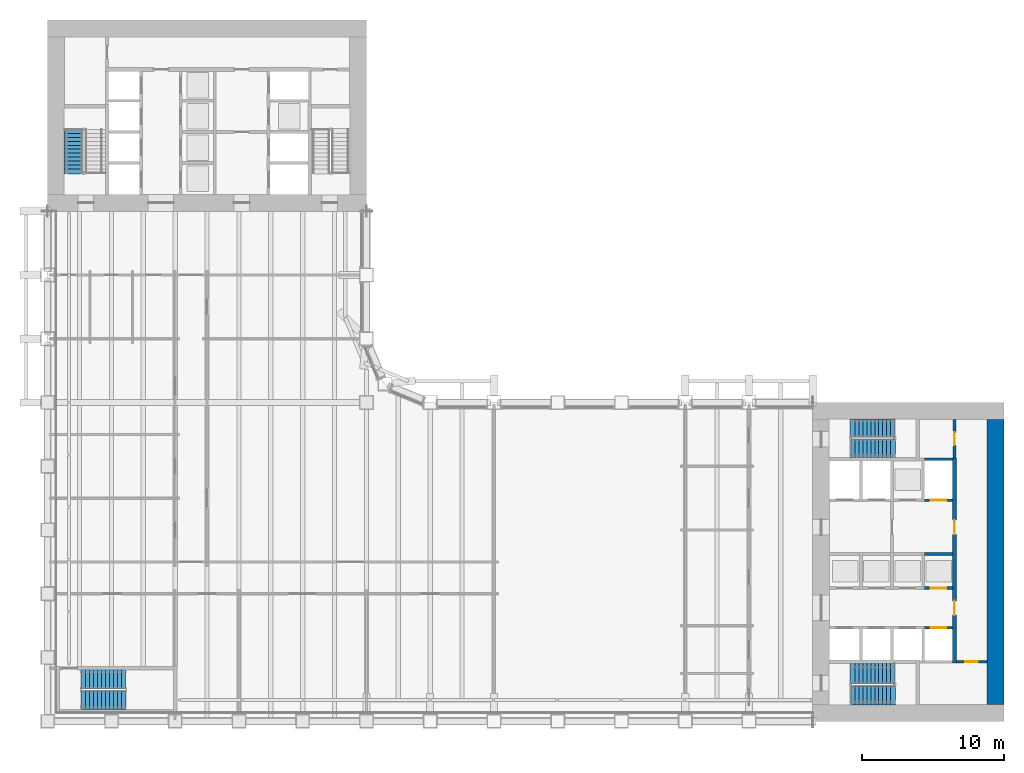
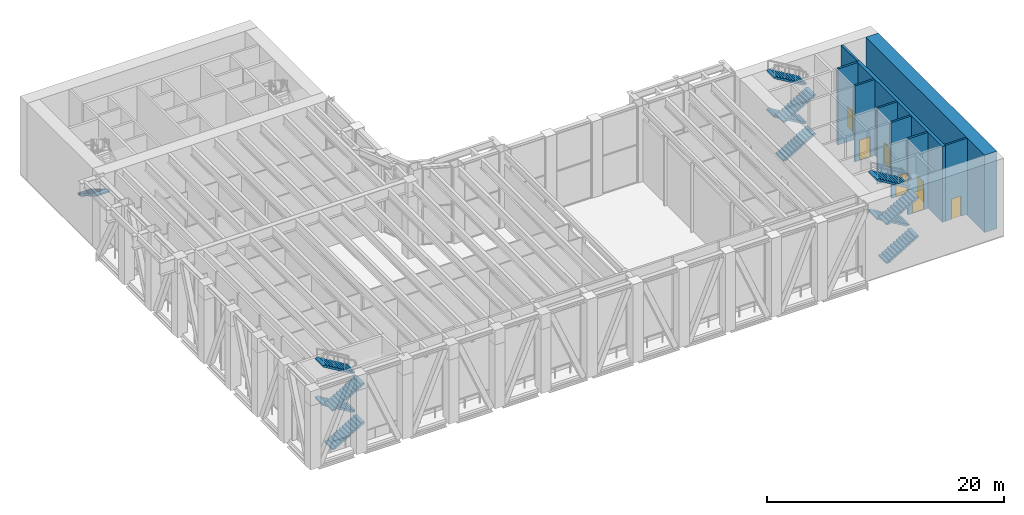
# One storey, part 14 of 21: 13 stair flights, 9 walls, 7 doors, 7 openings, 4 elements without a shape of their own.
"""IFC4 building model written with IfcOpenShell, lengths in metres."""

import ifcopenshell
import ifcopenshell.guid

model = None  # the IFC model being written
_history = None  # IfcOwnerHistory: only IFC2X3 demands one
_inside = {}  # id of a spatial element -> (the spatial element, [elements in it])
_under = {}  # id of a project, library or spatial element -> (it, [spatial elements below it])
_declared = {}  # id of a project -> (the project, [libraries it declares])
_typed = {}  # id of a type object -> (the type object, [elements of that type])
_made_of = {}  # id of a material, layer set ... -> (it, [elements and type objects made of it])


def new_model(schema):
    """Start an empty IFC model of exactly this schema.

    Asked for "IFC4X3", IfcOpenShell would pick the latest addendum, in which some entities
    have other attributes; the version numbers below select the first issue.
    IFC2X3 requires an IfcOwnerHistory on every rooted entity: one is made here for all.
    """
    global model, _history
    if schema == "IFC4X3":
        model = ifcopenshell.file(schema_version=(4, 3, 0, 0))
    else:
        model = ifcopenshell.file(schema=schema)
    _inside.clear()
    _under.clear()
    _declared.clear()
    _typed.clear()
    _made_of.clear()
    _history = None
    if model.schema == "IFC2X3":
        org = make("IfcOrganization", Name="unknown")
        user = make(
            "IfcPersonAndOrganization",
            ThePerson=make("IfcPerson", FamilyName="unknown"),
            TheOrganization=org,
        )
        app = make(
            "IfcApplication",
            ApplicationDeveloper=org,
            Version="unknown",
            ApplicationFullName="unknown",
            ApplicationIdentifier="unknown",
        )
        _history = make(
            "IfcOwnerHistory",
            OwningUser=user,
            OwningApplication=app,
            ChangeAction="ADDED",
            CreationDate=0,
        )
    return model


def make(cls, **values):
    """One entity of the class cls with the attributes given. An attribute that is None is left unset."""
    return model.create_entity(
        cls, **{name: value for name, value in values.items() if value is not None}
    )


def rooted(cls, **values):
    """An entity with a GlobalId (a new one), such as an element, a storey or a relation."""
    return make(cls, GlobalId=ifcopenshell.guid.new(), OwnerHistory=_history, **values)


def si_unit(unit_type, name, prefix=None):
    """IfcSIUnit, for example si_unit("LENGTHUNIT", "METRE", prefix="MILLI")."""
    return make("IfcSIUnit", UnitType=unit_type, Prefix=prefix, Name=name)


def assignment(units):
    """IfcUnitAssignment: the units of a project."""
    return None if units is None else make("IfcUnitAssignment", Units=units)


def point(xyz):
    """IfcCartesianPoint."""
    return None if xyz is None else make("IfcCartesianPoint", Coordinates=xyz)


def direction(xyz):
    """IfcDirection."""
    return None if xyz is None else make("IfcDirection", DirectionRatios=xyz)


def frame(location, z_axis=None, x_axis=None):
    """IfcAxis2Placement3D, a coordinate frame: its origin and axes. An axis left out is left unset."""
    return make(
        "IfcAxis2Placement3D",
        Location=point(location),
        Axis=direction(z_axis),
        RefDirection=direction(x_axis),
    )


def frame_2d(location, x_axis=None):
    """IfcAxis2Placement2D, a coordinate frame in the plane: its origin and x axis."""
    return make(
        "IfcAxis2Placement2D", Location=point(location), RefDirection=direction(x_axis)
    )


def origin():
    """The frame at (0, 0, 0) with its axes left unset."""
    return frame((0.0, 0.0, 0.0))


def place(relative_to, where):
    """IfcLocalPlacement: puts the frame where relative to a parent placement (None: the world)."""
    return make(
        "IfcLocalPlacement", PlacementRelTo=relative_to, RelativePlacement=where
    )


def context(
    kind, dimensions, precision=None, world=None, true_north=None, identifier=None
):
    """IfcGeometricRepresentationContext, for example the 3D "Model" context."""
    return make(
        "IfcGeometricRepresentationContext",
        ContextIdentifier=identifier,
        ContextType=kind,
        CoordinateSpaceDimension=dimensions,
        Precision=precision,
        WorldCoordinateSystem=world,
        TrueNorth=true_north,
    )


def subcontext(parent, identifier, kind, view, scale=None):
    """IfcGeometricRepresentationSubContext, for example "Body" below "Model"."""
    return make(
        "IfcGeometricRepresentationSubContext",
        ContextIdentifier=identifier,
        ContextType=kind,
        ParentContext=parent,
        TargetScale=scale,
        TargetView=view,
    )


def project(units=None, contexts=None):
    """IfcProject with its units and contexts."""
    return rooted(
        "IfcProject",
        Name="project",
        RepresentationContexts=contexts,
        UnitsInContext=assignment(units),
    )


def spatial(cls, under=None, at=None, **own):
    """A site, building, storey or space (cls), placed at a placement, below another one or the project."""
    s = rooted(cls, ObjectPlacement=at, **own)
    if under is not None:
        _under.setdefault(under.id(), (under, []))[1].append(s)
    return s


def polyline(points):
    """IfcPolyline through the points."""
    return make("IfcPolyline", Points=[point(p) for p in points])


def profile(cls, at=None, kind="AREA", **sizes):
    """A parametric profile (cls). Its sizes go by their IFC names, for example OverallWidth=200.0."""
    return make(cls, ProfileType=kind, Position=at, **sizes)


def rectangle(**sizes):
    """IfcRectangleProfileDef."""
    return profile("IfcRectangleProfileDef", **sizes)


def outline(outer, holes=None, kind="AREA"):
    """IfcArbitraryClosedProfileDef: a profile drawn as a closed curve; with holes, ...WithVoids."""
    if holes is None:
        return make("IfcArbitraryClosedProfileDef", ProfileType=kind, OuterCurve=outer)
    return make(
        "IfcArbitraryProfileDefWithVoids",
        ProfileType=kind,
        OuterCurve=outer,
        InnerCurves=holes,
    )


def extrude(swept, where, along, depth):
    """IfcExtrudedAreaSolid: the profile swept, set in the frame where, extruded along a direction by depth."""
    return make(
        "IfcExtrudedAreaSolid",
        SweptArea=swept,
        Position=where,
        ExtrudedDirection=direction(along),
        Depth=depth,
    )


def shape(context_of_items, identifier, shape_type, items):
    """IfcShapeRepresentation: the items that make up one representation, for example the "Body"."""
    return make(
        "IfcShapeRepresentation",
        ContextOfItems=context_of_items,
        RepresentationIdentifier=identifier,
        RepresentationType=shape_type,
        Items=items,
    )


def material(Name=None, Category=None):
    """IfcMaterial."""
    return make("IfcMaterial", Name=Name, Category=Category)


def layer(
    of_material, thickness, ventilated=None, Name=None, Category=None, Priority=None
):
    """IfcMaterialLayer: one layer of a wall or slab, of a material (None: an air gap)."""
    return make(
        "IfcMaterialLayer",
        Material=of_material,
        LayerThickness=thickness,
        IsVentilated=ventilated,
        Name=Name,
        Category=Category,
        Priority=Priority,
    )


def layer_set(layers, Name=None):
    """IfcMaterialLayerSet."""
    return make("IfcMaterialLayerSet", MaterialLayers=layers, LayerSetName=Name)


def made_of(thing, what):
    """Note that an element or type object is made of a material, layer set ...; save() writes the relation."""
    if what is not None:
        _made_of.setdefault(what.id(), (what, []))[1].append(thing)
    return thing


def type_object(cls, material=None, **own):
    """A type object (cls), such as IfcWallType, which elements share."""
    return made_of(rooted(cls, **own), material)


def element(
    cls,
    number,
    at=None,
    inside=None,
    cuts=None,
    type_object=None,
    material=None,
    context=None,
    identifier="Body",
    shape_type=None,
    held_by="IfcProductDefinitionShape",
    body=None,
    shapes=None,
    **own,
):
    """One element of the class cls, such as IfcWall. Its Tag is "e" and its number.

    at: its placement. inside: the storey or other place that contains it. cuts: it is an
    opening in that element (IfcRelVoidsElement). A single representation is given by context,
    identifier, shape_type and body (its items); several are given by shapes. held_by: the class
    of the entity that holds the representations. save() writes the other relations.
    """
    e = rooted(cls, Tag="e%d" % number, ObjectPlacement=at, **own)
    if body is not None:
        shapes = [shape(context, identifier, shape_type, body)]
    if shapes is not None:
        e.Representation = make(held_by, Representations=shapes)
    if inside is not None:
        _inside.setdefault(inside.id(), (inside, []))[1].append(e)
    if cuts is not None:
        rooted(
            "IfcRelVoidsElement", RelatingBuildingElement=cuts, RelatedOpeningElement=e
        )
    if type_object is not None:
        _typed.setdefault(type_object.id(), (type_object, []))[1].append(e)
    return made_of(e, material)


def fill(opening, filler):
    """IfcRelFillsElement: the door or window that sits in an opening."""
    return rooted(
        "IfcRelFillsElement",
        RelatingOpeningElement=opening,
        RelatedBuildingElement=filler,
    )


def aggregate(whole, parts):
    """IfcRelAggregates: a whole, such as a stair, and the parts it consists of."""
    return rooted("IfcRelAggregates", RelatingObject=whole, RelatedObjects=parts)


def save(model, path):
    """Write the relations noted so far, then the file.

    IfcRelAggregates (storeys below a building ...), IfcRelContainedInSpatialStructure (elements
    in a storey), IfcRelDefinesByType, IfcRelAssociatesMaterial and IfcRelDeclares: one each for
    every whole, place, type object, material and project.
    """
    for whole, parts in _under.values():
        aggregate(whole, parts)
    for where, things in _inside.values():
        rooted(
            "IfcRelContainedInSpatialStructure",
            RelatedElements=things,
            RelatingStructure=where,
        )
    for kind, things in _typed.values():
        rooted("IfcRelDefinesByType", RelatedObjects=things, RelatingType=kind)
    for what, things in _made_of.values():
        rooted("IfcRelAssociatesMaterial", RelatedObjects=things, RelatingMaterial=what)
    for by, libraries in _declared.values():
        rooted("IfcRelDeclares", RelatingContext=by, RelatedDefinitions=libraries)
    model.write(path)


model = new_model("IFC4")

# Units and contexts
model_context = context("Model", 3, precision=1e-05, world=origin(), true_north=direction((0.0, 1.0)))
body_context = subcontext(model_context, "Body", "Model", "MODEL_VIEW")
ifc_project = project(units=[si_unit("LENGTHUNIT", "METRE"), si_unit("AREAUNIT", "SQUARE_METRE"), si_unit("VOLUMEUNIT", "CUBIC_METRE"), si_unit("PLANEANGLEUNIT", "RADIAN"), si_unit("MASSUNIT", "GRAM", prefix="KILO")], contexts=[model_context])

# Site, building, storey
site_placement = place(None, origin())
site = spatial("IfcSite", under=ifc_project, at=site_placement, CompositionType="ELEMENT")
building_placement = place(site_placement, origin())
building = spatial("IfcBuilding", under=site, at=building_placement, Name="Sennacour Bend Tower", CompositionType="ELEMENT")
storey_placement = place(building_placement, frame((0.0, 0.0, 131.0)))
storey = spatial("IfcBuildingStorey", under=building, at=storey_placement, Name="L30", CompositionType="ELEMENT", Elevation=131.0)

# Wall
ifc_material_1 = material(Name="Concrete C80/95", Category="concrete")
ifc_layer_1 = layer(ifc_material_1, 1.199951171875, Name="Concrete C80/95", Category="concrete")
ifc_layer_set_1 = layer_set([ifc_layer_1], Name="Concrete C80/95")
wall_type_1 = type_object("IfcWallType", Name="Core wall 1200 C80/95", PredefinedType="SHEAR", material=ifc_layer_set_1)
wall_1_placement = place(storey_placement, frame((66.89990234375, 1.199951171875, -0.14990234375), z_axis=(0.0, 0.0, 1.0), x_axis=(0.0, 1.0, 0.0)))
element("IfcWall", 1, at=wall_1_placement, inside=storey, type_object=wall_type_1, Name="Core A wall L30 E", PredefinedType="SHEAR", context=body_context, shape_type="SweptSolid", body=[
    extrude(rectangle(XDim=20.10009765625, YDim=1.199951171875, at=frame_2d((10.050048828125, 0.0))), origin(), (0.0, 0.0, 1.0), 8.0),
])

# Wall, opening, door
ifc_material_2 = material(Name="Fire-rated plasterboard partition on steel studs", Category="steel")
ifc_layer_2 = layer(ifc_material_2, 0.199951171875, Name="Fire-rated plasterboard partition on steel studs", Category="steel")
ifc_layer_set_2 = layer_set([ifc_layer_2], Name="Fire-rated plasterboard partition on steel studs")
wall_type_2 = type_object("IfcWallType", Name="Rated partition 200", PredefinedType="PARTITIONING", material=ifc_layer_set_2)
wall_2_placement = place(storey_placement, frame((64.0, 18.60009765625, 0.0), z_axis=(0.0, 0.0, 1.0), x_axis=(0.0, 1.0, 0.0)))
wall_2 = element("IfcWall", 2, at=wall_2_placement, inside=storey, type_object=wall_type_2, Name="P-L30-W038", PredefinedType="PARTITIONING", context=body_context, shape_type="SweptSolid", body=[
    extrude(rectangle(XDim=2.699951171875, YDim=0.199951171875, at=frame_2d((1.35009765625, 0.0))), origin(), (0.0, 0.0, 1.0), 7.85009765625),
])
opening_1_placement = place(wall_2_placement, frame((0.89990234375, 0.0, 0.0)))
opening_1 = element("IfcOpeningElement", 3, at=opening_1_placement, cuts=wall_2, Name="Opening SV", PredefinedType="OPENING", context=body_context, shape_type="SweptSolid", body=[
    extrude(rectangle(XDim=0.89990234375, YDim=2.10009765625, at=frame_2d((0.449951171875, 1.050048828125))), frame((0.0, 0.10986328125, 0.0), z_axis=(0.0, -1.0, 0.0), x_axis=(1.0, 0.0, 0.0)), (0.0, 0.0, 1.0), 0.219970703125),
])
ifc_material_3 = material(Name="Painted steel", Category="steel")
door_type_1 = type_object("IfcDoorType", Name="DR-SERVICE-900", OperationType="NOTDEFINED", PredefinedType="DOOR", material=ifc_material_3)
door_1_placement = place(opening_1_placement, origin())
door_1 = element("IfcDoor", 4, at=door_1_placement, inside=storey, type_object=door_type_1, Name="Door", OperationType="SINGLE_SWING_LEFT", OverallHeight=2.10009765625, OverallWidth=0.89990234375, PredefinedType="DOOR", context=body_context, shape_type="SweptSolid", body=[
    extrude(rectangle(XDim=0.89990234375, YDim=2.10009765625, at=frame_2d((0.449951171875, 1.050048828125))), frame((0.0, 0.02490234375, 0.0), z_axis=(0.0, -1.0, 0.0), x_axis=(1.0, 0.0, 0.0)), (0.0, 0.0, 1.0), 0.050048828125),
])
fill(opening_1, door_1)

wall_3_placement = place(storey_placement, frame((64.14990234375, 4.199951171875, 0.0), z_axis=(0.0, 0.0, 1.0), x_axis=(1.0, 0.0, 0.0)))
wall_3 = element("IfcWall", 5, at=wall_3_placement, inside=storey, type_object=wall_type_2, Name="P-L30-W047", PredefinedType="PARTITIONING", context=body_context, shape_type="SweptSolid", body=[
    extrude(rectangle(XDim=2.150146484375, YDim=0.199951171875, at=frame_2d((1.0751953125, 0.0))), origin(), (0.0, 0.0, 1.0), 7.85009765625),
])
opening_2_placement = place(wall_3_placement, frame((0.60009765625, 0.0, 0.0)))
opening_2 = element("IfcOpeningElement", 6, at=opening_2_placement, cuts=wall_3, Name="Opening SV", PredefinedType="OPENING", context=body_context, shape_type="SweptSolid", body=[
    extrude(rectangle(XDim=0.89990234375, YDim=2.10009765625, at=frame_2d((0.449951171875, 1.050048828125))), frame((0.0, 0.10986328125, 0.0), z_axis=(0.0, -1.0, 0.0), x_axis=(1.0, 0.0, 0.0)), (0.0, 0.0, 1.0), 0.219970703125),
])
door_2_placement = place(opening_2_placement, origin())
door_2 = element("IfcDoor", 7, at=door_2_placement, inside=storey, type_object=door_type_1, Name="Door", OperationType="SINGLE_SWING_LEFT", OverallHeight=2.10009765625, OverallWidth=0.89990234375, PredefinedType="DOOR", context=body_context, shape_type="SweptSolid", body=[
    extrude(rectangle(XDim=0.89990234375, YDim=2.10009765625, at=frame_2d((0.449951171875, 1.050048828125))), frame((0.0, 0.02490234375, 0.0), z_axis=(0.0, -1.0, 0.0), x_axis=(1.0, 0.0, 0.0)), (0.0, 0.0, 1.0), 0.050048828125),
])
fill(opening_2, door_2)

ifc_material_4 = material(Name="Concrete C50/60", Category="concrete")
ifc_layer_3 = layer(ifc_material_4, 0.199951171875, Name="Concrete C50/60", Category="concrete")
ifc_layer_set_3 = layer_set([ifc_layer_3], Name="Concrete C50/60")
wall_type_3 = type_object("IfcWallType", Name="Shaft wall 200", PredefinedType="SOLIDWALL", material=ifc_layer_set_3)
wall_4_placement = place(storey_placement, frame((61.89990234375, 6.60009765625, 0.0), z_axis=(0.0, 0.0, 1.0), x_axis=(1.0, 0.0, 0.0)))
wall_4 = element("IfcWall", 8, at=wall_4_placement, inside=storey, type_object=wall_type_3, Name="P-L30-W048d", PredefinedType="SOLIDWALL", context=body_context, shape_type="SweptSolid", body=[
    extrude(rectangle(XDim=1.9501953125, YDim=0.199951171875, at=frame_2d((0.97509765625, 0.0))), origin(), (0.0, 0.0, 1.0), 7.85009765625),
])
opening_3_placement = place(wall_4_placement, frame((0.425048828125, 0.0, 0.011962890625)))
opening_3 = element("IfcOpeningElement", 9, at=opening_3_placement, cuts=wall_4, Name="Opening LD", PredefinedType="OPENING", context=body_context, shape_type="SweptSolid", body=[
    extrude(rectangle(XDim=1.10009765625, YDim=2.10009765625, at=frame_2d((0.550048828125, 1.050048828125))), frame((0.0, 0.10986328125, 0.0), z_axis=(0.0, -1.0, 0.0), x_axis=(1.0, 0.0, 0.0)), (0.0, 0.0, 1.0), 0.219970703125),
])
ifc_material_5 = material(Name="Stainless steel", Category="steel")
door_type_2 = type_object("IfcDoorType", Name="DR-LANDING-1100", OperationType="NOTDEFINED", PredefinedType="DOOR", material=ifc_material_5)
door_3_placement = place(opening_3_placement, origin())
door_3 = element("IfcDoor", 10, at=door_3_placement, inside=storey, type_object=door_type_2, Name="Lift landing door LA4", OperationType="SLIDING_TO_RIGHT", OverallHeight=2.10009765625, OverallWidth=1.10009765625, PredefinedType="DOOR", context=body_context, shape_type="SweptSolid", body=[
    extrude(rectangle(XDim=1.10009765625, YDim=2.10009765625, at=frame_2d((0.550048828125, 1.050048828125))), frame((0.0, 0.02490234375, 0.0), z_axis=(0.0, -1.0, 0.0), x_axis=(1.0, 0.0, 0.0)), (0.0, 0.0, 1.0), 0.050048828125),
])
fill(opening_3, door_3)

wall_5_placement = place(storey_placement, frame((61.89990234375, 9.39990234375, 0.0), z_axis=(0.0, 0.0, 1.0), x_axis=(1.0, 0.0, 0.0)))
wall_5 = element("IfcWall", 11, at=wall_5_placement, inside=storey, type_object=wall_type_3, Name="P-L30-W051d", PredefinedType="SOLIDWALL", context=body_context, shape_type="SweptSolid", body=[
    extrude(rectangle(XDim=1.9501953125, YDim=0.199951171875, at=frame_2d((0.97509765625, 0.0))), origin(), (0.0, 0.0, 1.0), 7.85009765625),
])
opening_4_placement = place(wall_5_placement, frame((0.425048828125, 0.0, 0.011962890625)))
opening_4 = element("IfcOpeningElement", 12, at=opening_4_placement, cuts=wall_5, Name="Opening LD", PredefinedType="OPENING", context=body_context, shape_type="SweptSolid", body=[
    extrude(rectangle(XDim=1.10009765625, YDim=2.10009765625, at=frame_2d((0.550048828125, 1.050048828125))), frame((0.0, 0.10986328125, 0.0), z_axis=(0.0, -1.0, 0.0), x_axis=(1.0, 0.0, 0.0)), (0.0, 0.0, 1.0), 0.219970703125),
])
door_4_placement = place(opening_4_placement, origin())
door_4 = element("IfcDoor", 13, at=door_4_placement, inside=storey, type_object=door_type_2, Name="Lift landing door HA4", OperationType="SLIDING_TO_RIGHT", OverallHeight=2.10009765625, OverallWidth=1.10009765625, PredefinedType="DOOR", context=body_context, shape_type="SweptSolid", body=[
    extrude(rectangle(XDim=1.10009765625, YDim=2.10009765625, at=frame_2d((0.550048828125, 1.050048828125))), frame((0.0, 0.02490234375, 0.0), z_axis=(0.0, -1.0, 0.0), x_axis=(1.0, 0.0, 0.0)), (0.0, 0.0, 1.0), 0.050048828125),
])
fill(opening_4, door_4)

# Wall
wall_6_placement = place(storey_placement, frame((61.89990234375, 11.800048828125, 0.0), z_axis=(0.0, 0.0, 1.0), x_axis=(1.0, 0.0, 0.0)))
element("IfcWall", 14, at=wall_6_placement, inside=storey, type_object=wall_type_3, Name="P-L30-W053d", PredefinedType="SOLIDWALL", context=body_context, shape_type="SweptSolid", body=[
    extrude(rectangle(XDim=1.9501953125, YDim=0.199951171875, at=frame_2d((0.97509765625, 0.0))), origin(), (0.0, 0.0, 1.0), 7.85009765625),
])

# Wall, opening, door
wall_7_placement = place(storey_placement, frame((61.89990234375, 15.60009765625, 0.0), z_axis=(0.0, 0.0, 1.0), x_axis=(1.0, 0.0, 0.0)))
wall_7 = element("IfcWall", 15, at=wall_7_placement, inside=storey, type_object=wall_type_3, Name="P-L30-W055d", PredefinedType="SOLIDWALL", context=body_context, shape_type="SweptSolid", body=[
    extrude(rectangle(XDim=1.9501953125, YDim=0.199951171875, at=frame_2d((0.97509765625, 0.0))), origin(), (0.0, 0.0, 1.0), 7.85009765625),
])
opening_5_placement = place(wall_7_placement, frame((0.425048828125, 0.0, 0.011962890625)))
opening_5 = element("IfcOpeningElement", 16, at=opening_5_placement, cuts=wall_7, Name="Opening LD", PredefinedType="OPENING", context=body_context, shape_type="SweptSolid", body=[
    extrude(rectangle(XDim=1.10009765625, YDim=2.10009765625, at=frame_2d((0.550048828125, 1.050048828125))), frame((0.0, 0.10986328125, 0.0), z_axis=(0.0, -1.0, 0.0), x_axis=(1.0, 0.0, 0.0)), (0.0, 0.0, 1.0), 0.219970703125),
])
door_5_placement = place(opening_5_placement, origin())
door_5 = element("IfcDoor", 17, at=door_5_placement, inside=storey, type_object=door_type_2, Name="Lift landing door LA5", OperationType="SLIDING_TO_RIGHT", OverallHeight=2.10009765625, OverallWidth=1.10009765625, PredefinedType="DOOR", context=body_context, shape_type="SweptSolid", body=[
    extrude(rectangle(XDim=1.10009765625, YDim=2.10009765625, at=frame_2d((0.550048828125, 1.050048828125))), frame((0.0, 0.02490234375, 0.0), z_axis=(0.0, -1.0, 0.0), x_axis=(1.0, 0.0, 0.0)), (0.0, 0.0, 1.0), 0.050048828125),
])
fill(opening_5, door_5)

# Wall
wall_8_placement = place(storey_placement, frame((61.89990234375, 18.5, 0.0), z_axis=(0.0, 0.0, 1.0), x_axis=(1.0, 0.0, 0.0)))
element("IfcWall", 18, at=wall_8_placement, inside=storey, type_object=wall_type_3, Name="P-L30-W059b", PredefinedType="SOLIDWALL", context=body_context, shape_type="SweptSolid", body=[
    extrude(rectangle(XDim=1.9501953125, YDim=0.199951171875, at=frame_2d((0.97509765625, 0.0))), origin(), (0.0, 0.0, 1.0), 7.85009765625),
])

# Wall, openings, doors
ifc_material_6 = material(Name="Concrete C60/75", Category="concrete")
ifc_layer_4 = layer(ifc_material_6, 0.300048828125, Name="Concrete C60/75", Category="concrete")
ifc_layer_set_4 = layer_set([ifc_layer_4], Name="Concrete C60/75")
wall_type_4 = type_object("IfcWallType", Name="Spine wall 300", PredefinedType="SHEAR", material=ifc_layer_set_4)
wall_9_placement = place(storey_placement, frame((64.0, 4.10009765625, 0.0), z_axis=(0.0, 0.0, 1.0), x_axis=(0.0, 1.0, 0.0)))
wall_9 = element("IfcWall", 19, at=wall_9_placement, inside=storey, type_object=wall_type_4, Name="P-L30-W037", PredefinedType="SHEAR", context=body_context, shape_type="SweptSolid", body=[
    extrude(rectangle(XDim=14.5, YDim=0.300048828125, at=frame_2d((7.25, 0.0))), origin(), (0.0, 0.0, 1.0), 7.85009765625),
])
opening_6_placement = place(wall_9_placement, frame((3.39990234375, 0.0, 0.0)))
opening_6 = element("IfcOpeningElement", 20, at=opening_6_placement, cuts=wall_9, Name="Opening CD2", PredefinedType="OPENING", context=body_context, shape_type="SweptSolid", body=[
    extrude(rectangle(XDim=1.0, YDim=2.10009765625, at=frame_2d((0.5, 1.050048828125))), frame((0.0, 0.16015625, 0.0), z_axis=(0.0, -1.0, 0.0), x_axis=(1.0, 0.0, 0.0)), (0.0, 0.0, 1.0), 0.320068359375),
])
opening_7_placement = place(wall_9_placement, frame((9.099853515625, 0.0, 0.0)))
opening_7 = element("IfcOpeningElement", 21, at=opening_7_placement, cuts=wall_9, Name="Opening CD2", PredefinedType="OPENING", context=body_context, shape_type="SweptSolid", body=[
    extrude(rectangle(XDim=1.0, YDim=2.10009765625, at=frame_2d((0.5, 1.050048828125))), frame((0.0, 0.16015625, 0.0), z_axis=(0.0, -1.0, 0.0), x_axis=(1.0, 0.0, 0.0)), (0.0, 0.0, 1.0), 0.320068359375),
])
door_type_3 = type_object("IfcDoorType", Name="DR-LOBBY-1000", OperationType="NOTDEFINED", PredefinedType="DOOR", material=ifc_material_3)
door_6_placement = place(opening_6_placement, origin())
door_6 = element("IfcDoor", 22, at=door_6_placement, inside=storey, type_object=door_type_3, Name="Door", OperationType="SINGLE_SWING_LEFT", OverallHeight=2.10009765625, OverallWidth=1.0, PredefinedType="DOOR", context=body_context, shape_type="SweptSolid", body=[
    extrude(rectangle(XDim=1.0, YDim=2.10009765625, at=frame_2d((0.5, 1.050048828125))), frame((0.0, 0.02490234375, 0.0), z_axis=(0.0, -1.0, 0.0), x_axis=(1.0, 0.0, 0.0)), (0.0, 0.0, 1.0), 0.050048828125),
])
fill(opening_6, door_6)
door_7_placement = place(opening_7_placement, origin())
door_7 = element("IfcDoor", 23, at=door_7_placement, inside=storey, type_object=door_type_3, Name="Door", OperationType="SINGLE_SWING_RIGHT", OverallHeight=2.10009765625, OverallWidth=1.0, PredefinedType="DOOR", context=body_context, shape_type="SweptSolid", body=[
    extrude(rectangle(XDim=1.0, YDim=2.10009765625, at=frame_2d((0.5, 1.050048828125))), frame((0.0, 0.02490234375, 0.0), z_axis=(0.0, -1.0, 0.0), x_axis=(1.0, 0.0, 0.0)), (0.0, 0.0, 1.0), 0.050048828125),
])
fill(opening_7, door_7)

# Stair, stair flights
ifc_material_7 = material(Name="Concrete C40/50", Category="concrete")
stair_type = type_object("IfcStairType", Name="ST-DOGLEG", PredefinedType="HALF_TURN_STAIR", material=ifc_material_7)
stair_1_placement = place(storey_placement, origin())
stair_1 = element("IfcStair", 24, at=stair_1_placement, inside=storey, type_object=stair_type, Name="L30 Exit stair A1", PredefinedType="HALF_TURN_STAIR")
stair_flight_type = type_object("IfcStairFlightType", Name="SFL-RC", PredefinedType="STRAIGHT", material=ifc_material_7)
stair_flight_1_placement = place(storey_placement, frame((56.699951171875, 1.8349609375, 0.0), z_axis=(0.0, 0.0, 1.0), x_axis=(1.0, 0.0, 0.0)))
stair_flight_1 = element("IfcStairFlight", 25, at=stair_flight_1_placement, type_object=stair_flight_type, Name="SA1 flight 1", NumberOfRisers=12, NumberOfTreads=11, PredefinedType="STRAIGHT", RiserHeight=0.166666667, TreadLength=0.28, context=body_context, shape_type="SweptSolid", body=[
    extrude(outline(polyline([(0.0, 0.0), (0.0, 0.166748046875), (0.280029296875, 0.166748046875), (0.280029296875, 0.333251953125), (0.56005859375, 0.333251953125), (0.56005859375, 0.5), (0.840087890625, 0.5), (0.840087890625, 0.666748046875), (1.1201171875, 0.666748046875), (1.1201171875, 0.833251953125), (1.39990234375, 0.833251953125), (1.39990234375, 1.0), (1.679931640625, 1.0), (1.679931640625, 1.166748046875), (1.9599609375, 1.166748046875), (1.9599609375, 1.333251953125), (2.239990234375, 1.333251953125), (2.239990234375, 1.5), (2.52001953125, 1.5), (2.52001953125, 1.666748046875), (2.800048828125, 1.666748046875), (2.800048828125, 1.833251953125), (3.080078125, 1.833251953125), (3.139892578125, 1.833251953125), (3.139892578125, 1.658935546875), (3.080078125, 1.658935546875), (0.29296875, 0.0), (0.0, 0.0)])), frame((0.0, 0.6650390625, 0.0), z_axis=(0.0, -1.0, 0.0), x_axis=(1.0, 0.0, 0.0)), (0.0, 0.0, 1.0), 1.330078125),
])
stair_flight_2_placement = place(storey_placement, frame((59.780029296875, 3.37744140625, 2.0), z_axis=(0.0, 0.0, 1.0), x_axis=(-1.0, 0.0, 0.0)))
stair_flight_2 = element("IfcStairFlight", 26, at=stair_flight_2_placement, type_object=stair_flight_type, Name="SA1 flight 2", NumberOfRisers=12, NumberOfTreads=11, PredefinedType="STRAIGHT", RiserHeight=0.166666667, TreadLength=0.28, context=body_context, shape_type="SweptSolid", body=[
    extrude(outline(polyline([(0.0, 0.0), (0.0, 0.166748046875), (0.280029296875, 0.166748046875), (0.280029296875, 0.333251953125), (0.56005859375, 0.333251953125), (0.56005859375, 0.5), (0.840087890625, 0.5), (0.840087890625, 0.666748046875), (1.1201171875, 0.666748046875), (1.1201171875, 0.833251953125), (1.39990234375, 0.833251953125), (1.39990234375, 1.0), (1.679931640625, 1.0), (1.679931640625, 1.166748046875), (1.9599609375, 1.166748046875), (1.9599609375, 1.333251953125), (2.239990234375, 1.333251953125), (2.239990234375, 1.5), (2.52001953125, 1.5), (2.52001953125, 1.666748046875), (2.800048828125, 1.666748046875), (2.800048828125, 1.833251953125), (3.080078125, 1.833251953125), (3.139892578125, 1.833251953125), (3.139892578125, 1.658935546875), (3.080078125, 1.658935546875), (0.29296875, 0.0), (0.0, 0.0)])), frame((0.0, 0.7275390625, 0.0), z_axis=(0.0, -1.0, 0.0), x_axis=(1.0, 0.0, 0.0)), (0.0, 0.0, 1.0), 1.455078125),
])
stair_flight_3_placement = place(storey_placement, frame((56.699951171875, 1.8349609375, 4.0), z_axis=(0.0, 0.0, 1.0), x_axis=(1.0, 0.0, 0.0)))
stair_flight_3 = element("IfcStairFlight", 27, at=stair_flight_3_placement, type_object=stair_flight_type, Name="SA1 flight 3", NumberOfRisers=12, NumberOfTreads=11, PredefinedType="STRAIGHT", RiserHeight=0.166666667, TreadLength=0.28, context=body_context, shape_type="SweptSolid", body=[
    extrude(outline(polyline([(0.0, 0.0), (0.0, 0.166748046875), (0.280029296875, 0.166748046875), (0.280029296875, 0.333251953125), (0.56005859375, 0.333251953125), (0.56005859375, 0.5), (0.840087890625, 0.5), (0.840087890625, 0.666748046875), (1.1201171875, 0.666748046875), (1.1201171875, 0.833251953125), (1.39990234375, 0.833251953125), (1.39990234375, 1.0), (1.679931640625, 1.0), (1.679931640625, 1.166748046875), (1.9599609375, 1.166748046875), (1.9599609375, 1.333251953125), (2.239990234375, 1.333251953125), (2.239990234375, 1.5), (2.52001953125, 1.5), (2.52001953125, 1.666748046875), (2.800048828125, 1.666748046875), (2.800048828125, 1.833251953125), (3.080078125, 1.833251953125), (3.139892578125, 1.833251953125), (3.139892578125, 1.658935546875), (3.080078125, 1.658935546875), (0.29296875, 0.0), (0.0, 0.0)])), frame((0.0, 0.6650390625, 0.0), z_axis=(0.0, -1.0, 0.0), x_axis=(1.0, 0.0, 0.0)), (0.0, 0.0, 1.0), 1.330078125),
])
stair_flight_4_placement = place(storey_placement, frame((59.780029296875, 3.37744140625, 6.0), z_axis=(0.0, 0.0, 1.0), x_axis=(-1.0, 0.0, 0.0)))
stair_flight_4 = element("IfcStairFlight", 28, at=stair_flight_4_placement, type_object=stair_flight_type, Name="SA1 flight 4", NumberOfRisers=12, NumberOfTreads=11, PredefinedType="STRAIGHT", RiserHeight=0.166666667, TreadLength=0.28, context=body_context, shape_type="SweptSolid", body=[
    extrude(outline(polyline([(0.0, 0.0), (0.0, 0.166748046875), (0.280029296875, 0.166748046875), (0.280029296875, 0.333251953125), (0.56005859375, 0.333251953125), (0.56005859375, 0.5), (0.840087890625, 0.5), (0.840087890625, 0.666748046875), (1.1201171875, 0.666748046875), (1.1201171875, 0.833251953125), (1.39990234375, 0.833251953125), (1.39990234375, 1.0), (1.679931640625, 1.0), (1.679931640625, 1.166748046875), (1.9599609375, 1.166748046875), (1.9599609375, 1.333251953125), (2.239990234375, 1.333251953125), (2.239990234375, 1.5), (2.52001953125, 1.5), (2.52001953125, 1.666748046875), (2.800048828125, 1.666748046875), (2.800048828125, 1.833251953125), (3.080078125, 1.833251953125), (3.139892578125, 1.833251953125), (3.139892578125, 1.658935546875), (3.080078125, 1.658935546875), (0.29296875, 0.0), (0.0, 0.0)])), frame((0.0, 0.7275390625, 0.0), z_axis=(0.0, -1.0, 0.0), x_axis=(1.0, 0.0, 0.0)), (0.0, 0.0, 1.0), 1.455078125),
])
aggregate(stair_1, [stair_flight_1, stair_flight_2, stair_flight_3, stair_flight_4])

stair_2_placement = place(storey_placement, origin())
stair_2 = element("IfcStair", 29, at=stair_2_placement, inside=storey, type_object=stair_type, Name="L30 Exit stair A2", PredefinedType="HALF_TURN_STAIR")
stair_flight_5_placement = place(storey_placement, frame((56.699951171875, 19.24755859375, 0.0), z_axis=(0.0, 0.0, 1.0), x_axis=(1.0, 0.0, 0.0)))
stair_flight_5 = element("IfcStairFlight", 30, at=stair_flight_5_placement, type_object=stair_flight_type, Name="SA2 flight 1", NumberOfRisers=12, NumberOfTreads=11, PredefinedType="STRAIGHT", RiserHeight=0.166666667, TreadLength=0.28, context=body_context, shape_type="SweptSolid", body=[
    extrude(outline(polyline([(0.0, 0.0), (0.0, 0.166748046875), (0.280029296875, 0.166748046875), (0.280029296875, 0.333251953125), (0.56005859375, 0.333251953125), (0.56005859375, 0.5), (0.840087890625, 0.5), (0.840087890625, 0.666748046875), (1.1201171875, 0.666748046875), (1.1201171875, 0.833251953125), (1.39990234375, 0.833251953125), (1.39990234375, 1.0), (1.679931640625, 1.0), (1.679931640625, 1.166748046875), (1.9599609375, 1.166748046875), (1.9599609375, 1.333251953125), (2.239990234375, 1.333251953125), (2.239990234375, 1.5), (2.52001953125, 1.5), (2.52001953125, 1.666748046875), (2.800048828125, 1.666748046875), (2.800048828125, 1.833251953125), (3.080078125, 1.833251953125), (3.139892578125, 1.833251953125), (3.139892578125, 1.658935546875), (3.080078125, 1.658935546875), (0.29296875, 0.0), (0.0, 0.0)])), frame((0.0, 0.65234375, 0.0), z_axis=(0.0, -1.0, 0.0), x_axis=(1.0, 0.0, 0.0)), (0.0, 0.0, 1.0), 1.304931640625),
])
stair_flight_6_placement = place(storey_placement, frame((59.780029296875, 20.68994140625, 2.0), z_axis=(0.0, 0.0, 1.0), x_axis=(-1.0, 0.0, 0.0)))
stair_flight_6 = element("IfcStairFlight", 31, at=stair_flight_6_placement, type_object=stair_flight_type, Name="SA2 flight 2", NumberOfRisers=12, NumberOfTreads=11, PredefinedType="STRAIGHT", RiserHeight=0.166666667, TreadLength=0.28, context=body_context, shape_type="SweptSolid", body=[
    extrude(outline(polyline([(0.0, 0.0), (0.0, 0.166748046875), (0.280029296875, 0.166748046875), (0.280029296875, 0.333251953125), (0.56005859375, 0.333251953125), (0.56005859375, 0.5), (0.840087890625, 0.5), (0.840087890625, 0.666748046875), (1.1201171875, 0.666748046875), (1.1201171875, 0.833251953125), (1.39990234375, 0.833251953125), (1.39990234375, 1.0), (1.679931640625, 1.0), (1.679931640625, 1.166748046875), (1.9599609375, 1.166748046875), (1.9599609375, 1.333251953125), (2.239990234375, 1.333251953125), (2.239990234375, 1.5), (2.52001953125, 1.5), (2.52001953125, 1.666748046875), (2.800048828125, 1.666748046875), (2.800048828125, 1.833251953125), (3.080078125, 1.833251953125), (3.139892578125, 1.833251953125), (3.139892578125, 1.658935546875), (3.080078125, 1.658935546875), (0.29296875, 0.0), (0.0, 0.0)])), frame((0.0, 0.64013671875, 0.0), z_axis=(0.0, -1.0, 0.0), x_axis=(1.0, 0.0, 0.0)), (0.0, 0.0, 1.0), 1.280029296875),
])
stair_flight_7_placement = place(storey_placement, frame((56.699951171875, 19.24755859375, 4.0), z_axis=(0.0, 0.0, 1.0), x_axis=(1.0, 0.0, 0.0)))
stair_flight_7 = element("IfcStairFlight", 32, at=stair_flight_7_placement, type_object=stair_flight_type, Name="SA2 flight 3", NumberOfRisers=12, NumberOfTreads=11, PredefinedType="STRAIGHT", RiserHeight=0.166666667, TreadLength=0.28, context=body_context, shape_type="SweptSolid", body=[
    extrude(outline(polyline([(0.0, 0.0), (0.0, 0.166748046875), (0.280029296875, 0.166748046875), (0.280029296875, 0.333251953125), (0.56005859375, 0.333251953125), (0.56005859375, 0.5), (0.840087890625, 0.5), (0.840087890625, 0.666748046875), (1.1201171875, 0.666748046875), (1.1201171875, 0.833251953125), (1.39990234375, 0.833251953125), (1.39990234375, 1.0), (1.679931640625, 1.0), (1.679931640625, 1.166748046875), (1.9599609375, 1.166748046875), (1.9599609375, 1.333251953125), (2.239990234375, 1.333251953125), (2.239990234375, 1.5), (2.52001953125, 1.5), (2.52001953125, 1.666748046875), (2.800048828125, 1.666748046875), (2.800048828125, 1.833251953125), (3.080078125, 1.833251953125), (3.139892578125, 1.833251953125), (3.139892578125, 1.658935546875), (3.080078125, 1.658935546875), (0.29296875, 0.0), (0.0, 0.0)])), frame((0.0, 0.65234375, 0.0), z_axis=(0.0, -1.0, 0.0), x_axis=(1.0, 0.0, 0.0)), (0.0, 0.0, 1.0), 1.304931640625),
])
stair_flight_8_placement = place(storey_placement, frame((59.780029296875, 20.68994140625, 6.0), z_axis=(0.0, 0.0, 1.0), x_axis=(-1.0, 0.0, 0.0)))
stair_flight_8 = element("IfcStairFlight", 33, at=stair_flight_8_placement, type_object=stair_flight_type, Name="SA2 flight 4", NumberOfRisers=12, NumberOfTreads=11, PredefinedType="STRAIGHT", RiserHeight=0.166666667, TreadLength=0.28, context=body_context, shape_type="SweptSolid", body=[
    extrude(outline(polyline([(0.0, 0.0), (0.0, 0.166748046875), (0.280029296875, 0.166748046875), (0.280029296875, 0.333251953125), (0.56005859375, 0.333251953125), (0.56005859375, 0.5), (0.840087890625, 0.5), (0.840087890625, 0.666748046875), (1.1201171875, 0.666748046875), (1.1201171875, 0.833251953125), (1.39990234375, 0.833251953125), (1.39990234375, 1.0), (1.679931640625, 1.0), (1.679931640625, 1.166748046875), (1.9599609375, 1.166748046875), (1.9599609375, 1.333251953125), (2.239990234375, 1.333251953125), (2.239990234375, 1.5), (2.52001953125, 1.5), (2.52001953125, 1.666748046875), (2.800048828125, 1.666748046875), (2.800048828125, 1.833251953125), (3.080078125, 1.833251953125), (3.139892578125, 1.833251953125), (3.139892578125, 1.658935546875), (3.080078125, 1.658935546875), (0.29296875, 0.0), (0.0, 0.0)])), frame((0.0, 0.64013671875, 0.0), z_axis=(0.0, -1.0, 0.0), x_axis=(1.0, 0.0, 0.0)), (0.0, 0.0, 1.0), 1.280029296875),
])
aggregate(stair_2, [stair_flight_5, stair_flight_6, stair_flight_7, stair_flight_8])

# Stair, stair flight
stair_3_placement = place(storey_placement, origin())
stair_3 = element("IfcStair", 34, at=stair_3_placement, inside=storey, type_object=stair_type, Name="L30 Exit stair B1", PredefinedType="HALF_TURN_STAIR")
stair_flight_9_placement = place(storey_placement, frame((1.8349609375, 41.780029296875, 2.0), z_axis=(0.0, 0.0, 1.0), x_axis=(0.0, -1.0, 0.0)))
stair_flight_9 = element("IfcStairFlight", 35, at=stair_flight_9_placement, type_object=stair_flight_type, Name="SB1 flight 2", NumberOfRisers=12, NumberOfTreads=11, PredefinedType="STRAIGHT", RiserHeight=0.166666667, TreadLength=0.28, context=body_context, shape_type="SweptSolid", body=[
    extrude(outline(polyline([(0.0, 0.0), (0.0, 0.166748046875), (0.280029296875, 0.166748046875), (0.280029296875, 0.333251953125), (0.56005859375, 0.333251953125), (0.56005859375, 0.5), (0.840087890625, 0.5), (0.840087890625, 0.666748046875), (1.1201171875, 0.666748046875), (1.1201171875, 0.833251953125), (1.39990234375, 0.833251953125), (1.39990234375, 1.0), (1.679931640625, 1.0), (1.679931640625, 1.166748046875), (1.9599609375, 1.166748046875), (1.9599609375, 1.333251953125), (2.239990234375, 1.333251953125), (2.239990234375, 1.5), (2.52001953125, 1.5), (2.52001953125, 1.666748046875), (2.800048828125, 1.666748046875), (2.800048828125, 1.833251953125), (3.080078125, 1.833251953125), (3.139892578125, 1.833251953125), (3.139892578125, 1.658935546875), (3.080078125, 1.658935546875), (0.29296875, 0.0), (0.0, 0.0)])), frame((0.0, 0.6650390625, 0.0), z_axis=(0.0, -1.0, 0.0), x_axis=(1.0, 0.0, 0.0)), (0.0, 0.0, 1.0), 1.330078125),
])
aggregate(stair_3, [stair_flight_9])

# Stair, stair flights
stair_4_placement = place(storey_placement, origin())
stair_4 = element("IfcStair", 36, at=stair_4_placement, inside=storey, type_object=stair_type, Name="L30 Exit stair K1", PredefinedType="HALF_TURN_STAIR")
stair_flight_10_placement = place(storey_placement, frame((2.39990234375, 1.485107421875, 0.0), z_axis=(0.0, 0.0, 1.0), x_axis=(1.0, 0.0, 0.0)))
stair_flight_10 = element("IfcStairFlight", 37, at=stair_flight_10_placement, type_object=stair_flight_type, Name="SK1 flight 1", NumberOfRisers=12, NumberOfTreads=11, PredefinedType="STRAIGHT", RiserHeight=0.166666667, TreadLength=0.28, context=body_context, shape_type="SweptSolid", body=[
    extrude(outline(polyline([(0.0, 0.0), (0.0, 0.166748046875), (0.280029296875, 0.166748046875), (0.280029296875, 0.333251953125), (0.56005859375, 0.333251953125), (0.56005859375, 0.5), (0.840087890625, 0.5), (0.840087890625, 0.666748046875), (1.1201171875, 0.666748046875), (1.1201171875, 0.833251953125), (1.39990234375, 0.833251953125), (1.39990234375, 1.0), (1.679931640625, 1.0), (1.679931640625, 1.166748046875), (1.9599609375, 1.166748046875), (1.9599609375, 1.333251953125), (2.239990234375, 1.333251953125), (2.239990234375, 1.5), (2.52001953125, 1.5), (2.52001953125, 1.666748046875), (2.800048828125, 1.666748046875), (2.800048828125, 1.833251953125), (3.080078125, 1.833251953125), (3.139892578125, 1.833251953125), (3.139892578125, 1.658935546875), (3.080078125, 1.658935546875), (0.29296875, 0.0), (0.0, 0.0)])), frame((0.0, 0.6650390625, 0.0), z_axis=(0.0, -1.0, 0.0), x_axis=(1.0, 0.0, 0.0)), (0.0, 0.0, 1.0), 1.330078125),
])
stair_flight_11_placement = place(storey_placement, frame((5.47998046875, 2.9775390625, 2.0), z_axis=(0.0, 0.0, 1.0), x_axis=(-1.0, 0.0, 0.0)))
stair_flight_11 = element("IfcStairFlight", 38, at=stair_flight_11_placement, type_object=stair_flight_type, Name="SK1 flight 2", NumberOfRisers=12, NumberOfTreads=11, PredefinedType="STRAIGHT", RiserHeight=0.166666667, TreadLength=0.28, context=body_context, shape_type="SweptSolid", body=[
    extrude(outline(polyline([(0.0, 0.0), (0.0, 0.166748046875), (0.280029296875, 0.166748046875), (0.280029296875, 0.333251953125), (0.56005859375, 0.333251953125), (0.56005859375, 0.5), (0.840087890625, 0.5), (0.840087890625, 0.666748046875), (1.1201171875, 0.666748046875), (1.1201171875, 0.833251953125), (1.39990234375, 0.833251953125), (1.39990234375, 1.0), (1.679931640625, 1.0), (1.679931640625, 1.166748046875), (1.9599609375, 1.166748046875), (1.9599609375, 1.333251953125), (2.239990234375, 1.333251953125), (2.239990234375, 1.5), (2.52001953125, 1.5), (2.52001953125, 1.666748046875), (2.800048828125, 1.666748046875), (2.800048828125, 1.833251953125), (3.080078125, 1.833251953125), (3.139892578125, 1.833251953125), (3.139892578125, 1.658935546875), (3.080078125, 1.658935546875), (0.29296875, 0.0), (0.0, 0.0)])), frame((0.0, 0.677490234375, 0.0), z_axis=(0.0, -1.0, 0.0), x_axis=(1.0, 0.0, 0.0)), (0.0, 0.0, 1.0), 1.35498046875),
])
stair_flight_12_placement = place(storey_placement, frame((2.39990234375, 1.485107421875, 4.0), z_axis=(0.0, 0.0, 1.0), x_axis=(1.0, 0.0, 0.0)))
stair_flight_12 = element("IfcStairFlight", 39, at=stair_flight_12_placement, type_object=stair_flight_type, Name="SK1 flight 3", NumberOfRisers=12, NumberOfTreads=11, PredefinedType="STRAIGHT", RiserHeight=0.166666667, TreadLength=0.28, context=body_context, shape_type="SweptSolid", body=[
    extrude(outline(polyline([(0.0, 0.0), (0.0, 0.166748046875), (0.280029296875, 0.166748046875), (0.280029296875, 0.333251953125), (0.56005859375, 0.333251953125), (0.56005859375, 0.5), (0.840087890625, 0.5), (0.840087890625, 0.666748046875), (1.1201171875, 0.666748046875), (1.1201171875, 0.833251953125), (1.39990234375, 0.833251953125), (1.39990234375, 1.0), (1.679931640625, 1.0), (1.679931640625, 1.166748046875), (1.9599609375, 1.166748046875), (1.9599609375, 1.333251953125), (2.239990234375, 1.333251953125), (2.239990234375, 1.5), (2.52001953125, 1.5), (2.52001953125, 1.666748046875), (2.800048828125, 1.666748046875), (2.800048828125, 1.833251953125), (3.080078125, 1.833251953125), (3.139892578125, 1.833251953125), (3.139892578125, 1.658935546875), (3.080078125, 1.658935546875), (0.29296875, 0.0), (0.0, 0.0)])), frame((0.0, 0.6650390625, 0.0), z_axis=(0.0, -1.0, 0.0), x_axis=(1.0, 0.0, 0.0)), (0.0, 0.0, 1.0), 1.330078125),
])
stair_flight_13_placement = place(storey_placement, frame((5.47998046875, 2.9775390625, 6.0), z_axis=(0.0, 0.0, 1.0), x_axis=(-1.0, 0.0, 0.0)))
stair_flight_13 = element("IfcStairFlight", 40, at=stair_flight_13_placement, type_object=stair_flight_type, Name="SK1 flight 4", NumberOfRisers=12, NumberOfTreads=11, PredefinedType="STRAIGHT", RiserHeight=0.166666667, TreadLength=0.28, context=body_context, shape_type="SweptSolid", body=[
    extrude(outline(polyline([(0.0, 0.0), (0.0, 0.166748046875), (0.280029296875, 0.166748046875), (0.280029296875, 0.333251953125), (0.56005859375, 0.333251953125), (0.56005859375, 0.5), (0.840087890625, 0.5), (0.840087890625, 0.666748046875), (1.1201171875, 0.666748046875), (1.1201171875, 0.833251953125), (1.39990234375, 0.833251953125), (1.39990234375, 1.0), (1.679931640625, 1.0), (1.679931640625, 1.166748046875), (1.9599609375, 1.166748046875), (1.9599609375, 1.333251953125), (2.239990234375, 1.333251953125), (2.239990234375, 1.5), (2.52001953125, 1.5), (2.52001953125, 1.666748046875), (2.800048828125, 1.666748046875), (2.800048828125, 1.833251953125), (3.080078125, 1.833251953125), (3.139892578125, 1.833251953125), (3.139892578125, 1.658935546875), (3.080078125, 1.658935546875), (0.29296875, 0.0), (0.0, 0.0)])), frame((0.0, 0.677490234375, 0.0), z_axis=(0.0, -1.0, 0.0), x_axis=(1.0, 0.0, 0.0)), (0.0, 0.0, 1.0), 1.35498046875),
])
aggregate(stair_4, [stair_flight_10, stair_flight_11, stair_flight_12, stair_flight_13])

save(model, "model.ifc")
